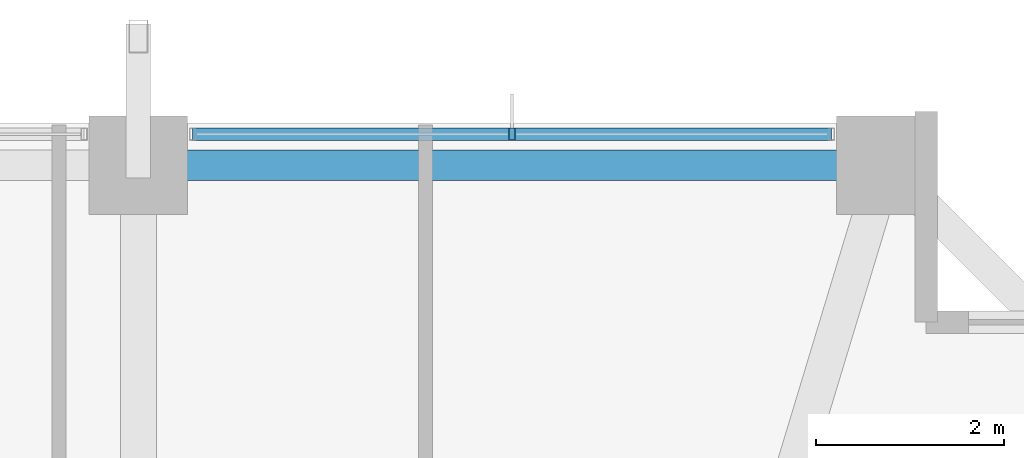
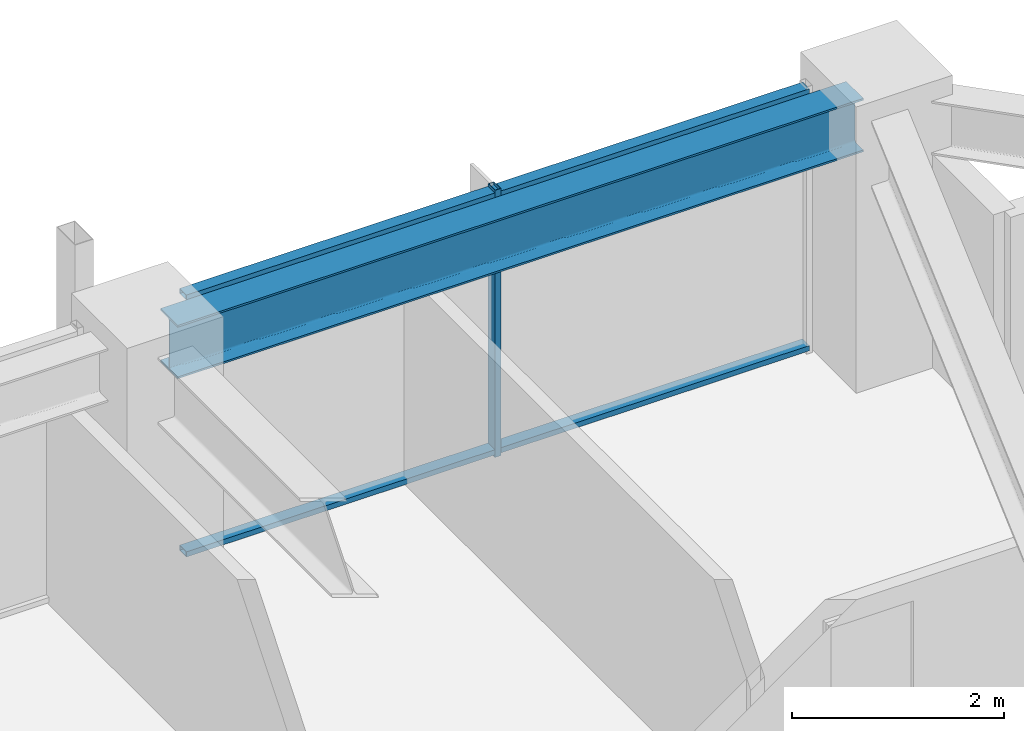
# One storey, part 24 of 38: 3 members, 1 beam, 1 element without a shape of its own.
"""IFC4 building model written with IfcOpenShell, lengths in metres."""

import ifcopenshell
import ifcopenshell.guid

model = None  # the IFC model being written
_history = None  # IfcOwnerHistory: only IFC2X3 demands one
_inside = {}  # id of a spatial element -> (the spatial element, [elements in it])
_under = {}  # id of a project, library or spatial element -> (it, [spatial elements below it])
_declared = {}  # id of a project -> (the project, [libraries it declares])
_typed = {}  # id of a type object -> (the type object, [elements of that type])
_made_of = {}  # id of a material, layer set ... -> (it, [elements and type objects made of it])


def new_model(schema):
    """Start an empty IFC model of exactly this schema.

    Asked for "IFC4X3", IfcOpenShell would pick the latest addendum, in which some entities
    have other attributes; the version numbers below select the first issue.
    IFC2X3 requires an IfcOwnerHistory on every rooted entity: one is made here for all.
    """
    global model, _history
    if schema == "IFC4X3":
        model = ifcopenshell.file(schema_version=(4, 3, 0, 0))
    else:
        model = ifcopenshell.file(schema=schema)
    _inside.clear()
    _under.clear()
    _declared.clear()
    _typed.clear()
    _made_of.clear()
    _history = None
    if model.schema == "IFC2X3":
        org = make("IfcOrganization", Name="unknown")
        user = make(
            "IfcPersonAndOrganization",
            ThePerson=make("IfcPerson", FamilyName="unknown"),
            TheOrganization=org,
        )
        app = make(
            "IfcApplication",
            ApplicationDeveloper=org,
            Version="unknown",
            ApplicationFullName="unknown",
            ApplicationIdentifier="unknown",
        )
        _history = make(
            "IfcOwnerHistory",
            OwningUser=user,
            OwningApplication=app,
            ChangeAction="ADDED",
            CreationDate=0,
        )
    return model


def make(cls, **values):
    """One entity of the class cls with the attributes given. An attribute that is None is left unset."""
    return model.create_entity(
        cls, **{name: value for name, value in values.items() if value is not None}
    )


def rooted(cls, **values):
    """An entity with a GlobalId (a new one), such as an element, a storey or a relation."""
    return make(cls, GlobalId=ifcopenshell.guid.new(), OwnerHistory=_history, **values)


def si_unit(unit_type, name, prefix=None):
    """IfcSIUnit, for example si_unit("LENGTHUNIT", "METRE", prefix="MILLI")."""
    return make("IfcSIUnit", UnitType=unit_type, Prefix=prefix, Name=name)


def assignment(units):
    """IfcUnitAssignment: the units of a project."""
    return None if units is None else make("IfcUnitAssignment", Units=units)


def point(xyz):
    """IfcCartesianPoint."""
    return None if xyz is None else make("IfcCartesianPoint", Coordinates=xyz)


def direction(xyz):
    """IfcDirection."""
    return None if xyz is None else make("IfcDirection", DirectionRatios=xyz)


def frame(location, z_axis=None, x_axis=None):
    """IfcAxis2Placement3D, a coordinate frame: its origin and axes. An axis left out is left unset."""
    return make(
        "IfcAxis2Placement3D",
        Location=point(location),
        Axis=direction(z_axis),
        RefDirection=direction(x_axis),
    )


def frame_2d(location, x_axis=None):
    """IfcAxis2Placement2D, a coordinate frame in the plane: its origin and x axis."""
    return make(
        "IfcAxis2Placement2D", Location=point(location), RefDirection=direction(x_axis)
    )


def origin():
    """The frame at (0, 0, 0) with its axes left unset."""
    return frame((0.0, 0.0, 0.0))


def origin_2d():
    """The frame at (0, 0) in the plane with its x axis left unset."""
    return frame_2d((0.0, 0.0))


def place(relative_to, where):
    """IfcLocalPlacement: puts the frame where relative to a parent placement (None: the world)."""
    return make(
        "IfcLocalPlacement", PlacementRelTo=relative_to, RelativePlacement=where
    )


def context(
    kind, dimensions, precision=None, world=None, true_north=None, identifier=None
):
    """IfcGeometricRepresentationContext, for example the 3D "Model" context."""
    return make(
        "IfcGeometricRepresentationContext",
        ContextIdentifier=identifier,
        ContextType=kind,
        CoordinateSpaceDimension=dimensions,
        Precision=precision,
        WorldCoordinateSystem=world,
        TrueNorth=true_north,
    )


def subcontext(parent, identifier, kind, view, scale=None):
    """IfcGeometricRepresentationSubContext, for example "Body" below "Model"."""
    return make(
        "IfcGeometricRepresentationSubContext",
        ContextIdentifier=identifier,
        ContextType=kind,
        ParentContext=parent,
        TargetScale=scale,
        TargetView=view,
    )


def project(units=None, contexts=None):
    """IfcProject with its units and contexts."""
    return rooted(
        "IfcProject",
        Name="project",
        RepresentationContexts=contexts,
        UnitsInContext=assignment(units),
    )


def spatial(cls, under=None, at=None, **own):
    """A site, building, storey or space (cls), placed at a placement, below another one or the project."""
    s = rooted(cls, ObjectPlacement=at, **own)
    if under is not None:
        _under.setdefault(under.id(), (under, []))[1].append(s)
    return s


def profile(cls, at=None, kind="AREA", **sizes):
    """A parametric profile (cls). Its sizes go by their IFC names, for example OverallWidth=200.0."""
    return make(cls, ProfileType=kind, Position=at, **sizes)


def hollow_rectangle(**sizes):
    """IfcRectangleHollowProfileDef."""
    return profile("IfcRectangleHollowProfileDef", **sizes)


def i_section(**sizes):
    """IfcIShapeProfileDef."""
    return profile("IfcIShapeProfileDef", **sizes)


def extrude(swept, where, along, depth):
    """IfcExtrudedAreaSolid: the profile swept, set in the frame where, extruded along a direction by depth."""
    return make(
        "IfcExtrudedAreaSolid",
        SweptArea=swept,
        Position=where,
        ExtrudedDirection=direction(along),
        Depth=depth,
    )


def shape(context_of_items, identifier, shape_type, items):
    """IfcShapeRepresentation: the items that make up one representation, for example the "Body"."""
    return make(
        "IfcShapeRepresentation",
        ContextOfItems=context_of_items,
        RepresentationIdentifier=identifier,
        RepresentationType=shape_type,
        Items=items,
    )


def material(Name=None, Category=None):
    """IfcMaterial."""
    return make("IfcMaterial", Name=Name, Category=Category)


def material_profile(
    of_material, cross_section, Name=None, Category=None, Priority=None
):
    """IfcMaterialProfile: a cross section and its material."""
    return make(
        "IfcMaterialProfile",
        Name=Name,
        Material=of_material,
        Profile=cross_section,
        Priority=Priority,
        Category=Category,
    )


def profile_set(profiles, Name=None, composite=None):
    """IfcMaterialProfileSet."""
    return make(
        "IfcMaterialProfileSet",
        Name=Name,
        MaterialProfiles=profiles,
        CompositeProfile=composite,
    )


def made_of(thing, what):
    """Note that an element or type object is made of a material, layer set ...; save() writes the relation."""
    if what is not None:
        _made_of.setdefault(what.id(), (what, []))[1].append(thing)
    return thing


def type_object(cls, material=None, **own):
    """A type object (cls), such as IfcWallType, which elements share."""
    return made_of(rooted(cls, **own), material)


def element(
    cls,
    number,
    at=None,
    inside=None,
    cuts=None,
    type_object=None,
    material=None,
    context=None,
    identifier="Body",
    shape_type=None,
    held_by="IfcProductDefinitionShape",
    body=None,
    shapes=None,
    **own,
):
    """One element of the class cls, such as IfcWall. Its Tag is "e" and its number.

    at: its placement. inside: the storey or other place that contains it. cuts: it is an
    opening in that element (IfcRelVoidsElement). A single representation is given by context,
    identifier, shape_type and body (its items); several are given by shapes. held_by: the class
    of the entity that holds the representations. save() writes the other relations.
    """
    e = rooted(cls, Tag="e%d" % number, ObjectPlacement=at, **own)
    if body is not None:
        shapes = [shape(context, identifier, shape_type, body)]
    if shapes is not None:
        e.Representation = make(held_by, Representations=shapes)
    if inside is not None:
        _inside.setdefault(inside.id(), (inside, []))[1].append(e)
    if cuts is not None:
        rooted(
            "IfcRelVoidsElement", RelatingBuildingElement=cuts, RelatedOpeningElement=e
        )
    if type_object is not None:
        _typed.setdefault(type_object.id(), (type_object, []))[1].append(e)
    return made_of(e, material)


def aggregate(whole, parts):
    """IfcRelAggregates: a whole, such as a stair, and the parts it consists of."""
    return rooted("IfcRelAggregates", RelatingObject=whole, RelatedObjects=parts)


def save(model, path):
    """Write the relations noted so far, then the file.

    IfcRelAggregates (storeys below a building ...), IfcRelContainedInSpatialStructure (elements
    in a storey), IfcRelDefinesByType, IfcRelAssociatesMaterial and IfcRelDeclares: one each for
    every whole, place, type object, material and project.
    """
    for whole, parts in _under.values():
        aggregate(whole, parts)
    for where, things in _inside.values():
        rooted(
            "IfcRelContainedInSpatialStructure",
            RelatedElements=things,
            RelatingStructure=where,
        )
    for kind, things in _typed.values():
        rooted("IfcRelDefinesByType", RelatedObjects=things, RelatingType=kind)
    for what, things in _made_of.values():
        rooted("IfcRelAssociatesMaterial", RelatedObjects=things, RelatingMaterial=what)
    for by, libraries in _declared.values():
        rooted("IfcRelDeclares", RelatingContext=by, RelatedDefinitions=libraries)
    model.write(path)


model = new_model("IFC4")

# Units and contexts
model_context = context("Model", 3, precision=1e-05, world=origin(), true_north=direction((0.0, 1.0)))
body_context = subcontext(model_context, "Body", "Model", "MODEL_VIEW")
ifc_project = project(units=[si_unit("LENGTHUNIT", "METRE"), si_unit("AREAUNIT", "SQUARE_METRE"), si_unit("VOLUMEUNIT", "CUBIC_METRE"), si_unit("PLANEANGLEUNIT", "RADIAN"), si_unit("MASSUNIT", "GRAM", prefix="KILO")], contexts=[model_context])

# Site, building, storey
site_placement = place(None, origin())
site = spatial("IfcSite", under=ifc_project, at=site_placement, CompositionType="ELEMENT")
building_placement = place(site_placement, origin())
building = spatial("IfcBuilding", under=site, at=building_placement, Name="Kolvaren Belvedere", CompositionType="ELEMENT")
storey_placement = place(building_placement, frame((0.0, 0.0, 121.699951171875)))
storey = spatial("IfcBuildingStorey", under=building, at=storey_placement, Name="L35", CompositionType="ELEMENT", Elevation=121.699951171875)

# Beam
ifc_material_1 = material(Name="Structural steel ASTM A992 Grade 50", Category="steel")
ifc_material_profile_1 = material_profile(ifc_material_1, i_section(OverallWidth=0.324951171875, OverallDepth=0.615966796875, WebThickness=0.013916015625, FlangeThickness=0.021484375, FilletRadius=0.02001953125, at=origin_2d()), Name="W24X117")
ifc_profile_set_1 = profile_set([ifc_material_profile_1], Name="Structural steel ASTM A992 Grade 50")
beam_type = type_object("IfcBeamType", Name="BM-SPAN-W24X117", PredefinedType="SPANDREL", material=ifc_profile_set_1)
beam_placement = place(storey_placement, frame((12.313720703125, 18.64990234375, 2.77197265625), z_axis=(-1.0, 0.0, 0.0), x_axis=(0.0, -1.0, 0.0)))
element("IfcBeam", 1, at=beam_placement, inside=storey, type_object=beam_type, Name="L35 Perimeter Spandrel N4-N3", PredefinedType="SPANDREL", context=body_context, shape_type="SweptSolid", body=[
    extrude(i_section(OverallWidth=0.324951171875, OverallDepth=0.615966796875, WebThickness=0.013916015625, FlangeThickness=0.021484375, FilletRadius=0.02001953125, at=origin_2d()), origin(), (0.0, 0.0, 1.0), 7.4775390625),
])

# Curtain wall, members
ifc_material_2 = material(Name="Anodised pale-metal aluminium AA 6063-T6", Category="aluminium")
curtain_wall_type = type_object("IfcCurtainWallType", Name="CW-Z3-WAIST", PredefinedType="NOTDEFINED", material=ifc_material_2)
curtain_wall_placement = place(storey_placement, origin())
curtain_wall = element("IfcCurtainWall", 2, at=curtain_wall_placement, inside=storey, type_object=curtain_wall_type, Name="L35 Unitised Curtain Wall FCW-L35-N-B3", PredefinedType="NOTDEFINED")
ifc_material_3 = material(Name="Anodised pale-metal aluminium AA 6063-T6", Category="aluminium")
ifc_material_profile_2 = material_profile(ifc_material_3, hollow_rectangle(XDim=0.06494140625, YDim=0.1298828125, WallThickness=0.00390625, at=origin_2d()), Name="ALU-MUL-130X65")
ifc_profile_set_2 = profile_set([ifc_material_profile_2], Name="Anodised pale-metal aluminium AA 6063-T6")
member_type_1 = type_object("IfcMemberType", Name="CW-MUL-130", PredefinedType="MULLION", material=ifc_profile_set_2)
member_1_placement = place(storey_placement, frame((8.574951171875, 18.97998046875, 0.0), z_axis=(0.0, 0.0, 1.0), x_axis=(1.0, 0.0, 0.0)))
member_1 = element("IfcMember", 3, at=member_1_placement, type_object=member_type_1, Name="FCW-L35-N-B3 Unitised Mullion 2", PredefinedType="MULLION", context=body_context, shape_type="SweptSolid", body=[
    extrude(hollow_rectangle(XDim=0.06494140625, YDim=0.1298828125, WallThickness=0.00390625, at=origin_2d()), origin(), (0.0, 0.0, 1.0), 3.080078125),
])
ifc_material_4 = material(Name="Anodised pale-metal aluminium AA 6063-T6", Category="aluminium")
ifc_material_profile_3 = material_profile(ifc_material_4, hollow_rectangle(XDim=0.06005859375, YDim=0.1298828125, WallThickness=0.00390625, at=origin_2d()), Name="ALU-TRN-130X60")
ifc_profile_set_3 = profile_set([ifc_material_profile_3], Name="Anodised pale-metal aluminium AA 6063-T6")
member_type_2 = type_object("IfcMemberType", Name="CW-TRN-130", PredefinedType="USERDEFINED", material=ifc_profile_set_3)
member_2_placement = place(storey_placement, frame((5.177490234375, 18.97998046875, 0.06005859375), z_axis=(1.0, 0.0, 0.0), x_axis=(0.0, 0.0, 1.0)))
member_2 = element("IfcMember", 4, at=member_2_placement, type_object=member_type_2, Name="FCW-L35-N-B3 Sill Transom", ObjectType="TRANSOM", PredefinedType="USERDEFINED", context=body_context, shape_type="SweptSolid", body=[
    extrude(hollow_rectangle(XDim=0.06005859375, YDim=0.1298828125, WallThickness=0.00390625, at=origin_2d()), origin(), (0.0, 0.0, 1.0), 6.794921875),
])
member_3_placement = place(storey_placement, frame((5.177490234375, 18.97998046875, 3.02001953125), z_axis=(1.0, 0.0, 0.0), x_axis=(0.0, 0.0, 1.0)))
member_3 = element("IfcMember", 5, at=member_3_placement, type_object=member_type_2, Name="FCW-L35-N-B3 Head Transom", ObjectType="TRANSOM", PredefinedType="USERDEFINED", context=body_context, shape_type="SweptSolid", body=[
    extrude(hollow_rectangle(XDim=0.06005859375, YDim=0.1298828125, WallThickness=0.00390625, at=origin_2d()), origin(), (0.0, 0.0, 1.0), 6.794921875),
])
aggregate(curtain_wall, [member_1, member_2, member_3])

save(model, "model.ifc")
